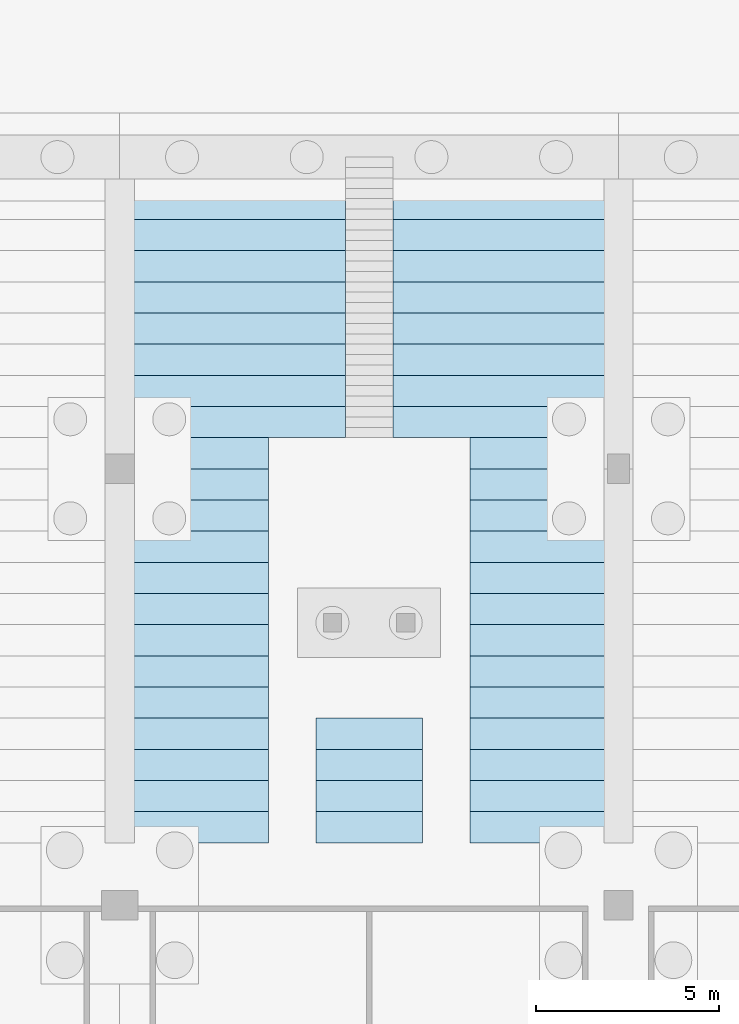
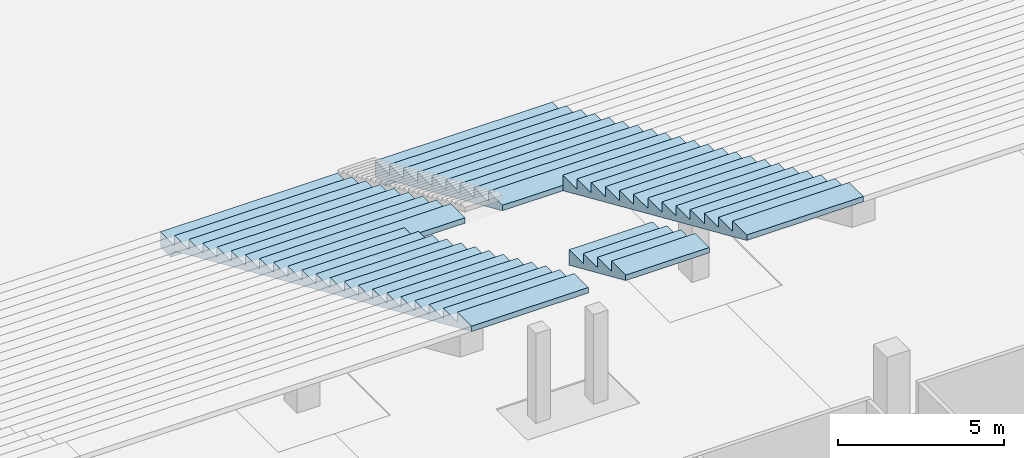
# One storey, part 46 of 115: 1 slab.
"""IFC4 building model written with IfcOpenShell, lengths in metres."""

from ifc_helpers import new_model, si_unit, direction, frame, origin, place, context, subcontext, project, spatial, faceted_brep, material, layer, layer_set, type_object, element, save


model = new_model("IFC4")

# Units and contexts
model_context = context("Model", 3, precision=1e-05, world=origin(), true_north=direction((0.0, 1.0)))
body_context = subcontext(model_context, "Body", "Model", "MODEL_VIEW")
ifc_project = project(units=[si_unit("LENGTHUNIT", "METRE"), si_unit("AREAUNIT", "SQUARE_METRE"), si_unit("VOLUMEUNIT", "CUBIC_METRE"), si_unit("PLANEANGLEUNIT", "RADIAN"), si_unit("MASSUNIT", "GRAM", prefix="KILO")], contexts=[model_context])

# Site, building, storey
site_placement = place(None, origin())
site = spatial("IfcSite", under=ifc_project, at=site_placement, CompositionType="ELEMENT")
building_placement = place(site_placement, origin())
building = spatial("IfcBuilding", under=site, at=building_placement, Name="Ogive Plaza Stadium", CompositionType="ELEMENT")
storey_placement = place(building_placement, frame((0.0, 0.0, -4.5)))
storey = spatial("IfcBuildingStorey", under=building, at=storey_placement, Name="B1", CompositionType="ELEMENT", Elevation=-4.5)

# Slab
ifc_material = material(Name="Concrete C45/55 precast", Category="concrete")
ifc_layer = layer(ifc_material, 0.574951171875)
ifc_layer_set = layer_set([ifc_layer], Name="Concrete C45/55 precast")
slab_type = type_object("IfcSlabType", Name="Seating tier LT 575", PredefinedType="USERDEFINED", material=ifc_layer_set)
slab_placement = place(storey_placement, origin())
element("IfcSlab", 1, at=slab_placement, inside=storey, type_object=slab_type, Name="Stand LT B13", ObjectType="SEATING TIER", PredefinedType="USERDEFINED", context=body_context, shape_type="Brep", body=[
    faceted_brep([(14.25, -60.0, 1.125), (14.25, -60.60009765625, 1.125), (20.39990234375, -60.60009765625, 1.125), (20.39990234375, -60.0, 1.125), (6.800048828125, -60.0, 1.125), (6.800048828125, -60.60009765625, 1.125), (12.949951171875, -60.60009765625, 1.125), (12.949951171875, -60.0, 1.125), (14.25, -60.85009765625, 1.125), (20.39990234375, -60.85009765625, 1.125), (6.800048828125, -60.85009765625, 1.125), (12.949951171875, -60.85009765625, 1.125), (14.25, -60.60009765625, 0.550048828125), (20.39990234375, -60.0, 0.550048828125), (20.39990234375, -60.60009765625, 0.550048828125), (14.25, -60.0, 0.550048828125), (6.800048828125, -60.60009765625, 0.550048828125), (12.949951171875, -60.0, 0.550048828125), (12.949951171875, -60.60009765625, 0.550048828125), (6.800048828125, -60.0, 0.550048828125), (20.39990234375, -60.85009765625, 0.925048828125), (20.39990234375, -60.85009765625, 1.5), (20.39990234375, -61.699951171875, 1.5), (20.39990234375, -61.699951171875, 1.300048828125), (20.39990234375, -61.699951171875, 1.875), (20.39990234375, -62.550048828125, 1.875), (20.39990234375, -62.550048828125, 1.675048828125), (20.39990234375, -62.550048828125, 2.25), (20.39990234375, -63.39990234375, 2.25), (20.39990234375, -63.39990234375, 2.050048828125), (20.39990234375, -63.39990234375, 2.625), (20.39990234375, -64.25, 2.625), (20.39990234375, -64.25, 2.425048828125), (20.39990234375, -64.25, 3.0), (20.39990234375, -65.10009765625, 3.0), (20.39990234375, -65.10009765625, 2.800048828125), (20.39990234375, -65.10009765625, 3.375), (20.39990234375, -65.949951171875, 3.375), (20.39990234375, -65.949951171875, 3.175048828125), (20.39990234375, -65.949951171875, 3.75), (20.39990234375, -66.800048828125, 3.75), (20.39990234375, -66.800048828125, 3.550048828125), (20.39990234375, -66.800048828125, 4.125), (20.39990234375, -67.64990234375, 4.125), (20.39990234375, -67.64990234375, 3.925048828125), (20.39990234375, -67.64990234375, 4.5), (20.39990234375, -68.5, 4.5), (20.39990234375, -68.5, 4.300048828125), (20.39990234375, -68.5, 4.875), (20.39990234375, -69.35009765625, 4.875), (20.39990234375, -69.35009765625, 4.675048828125), (20.39990234375, -69.35009765625, 5.25), (20.39990234375, -70.199951171875, 5.25), (20.39990234375, -70.199951171875, 5.050048828125), (20.39990234375, -70.199951171875, 5.625), (20.39990234375, -71.050048828125, 5.625), (20.39990234375, -71.050048828125, 5.425048828125), (20.39990234375, -71.050048828125, 6.0), (20.39990234375, -71.89990234375, 6.0), (20.39990234375, -71.89990234375, 5.800048828125), (20.39990234375, -71.89990234375, 6.375), (20.39990234375, -72.75, 6.375), (20.39990234375, -72.75, 6.175048828125), (20.39990234375, -72.75, 6.75), (20.39990234375, -73.60009765625, 6.75), (20.39990234375, -73.60009765625, 6.550048828125), (20.39990234375, -73.60009765625, 7.125), (20.39990234375, -74.449951171875, 7.125), (20.39990234375, -74.449951171875, 6.925048828125), (20.39990234375, -74.449951171875, 7.5), (20.39990234375, -75.300048828125, 7.5), (20.39990234375, -75.300048828125, 7.300048828125), (20.39990234375, -75.300048828125, 7.875), (20.39990234375, -76.14990234375, 7.875), (20.39990234375, -76.14990234375, 7.675048828125), (20.39990234375, -76.14990234375, 8.25), (20.39990234375, -77.0, 8.25), (20.39990234375, -77.0, 8.050048828125), (20.39990234375, -77.0, 8.625), (20.39990234375, -77.85009765625, 8.625), (20.39990234375, -77.85009765625, 8.425048828125), (20.39990234375, -77.85009765625, 9.0), (20.39990234375, -78.699951171875, 9.0), (20.39990234375, -78.699951171875, 8.800048828125), (14.25, -60.85009765625, 0.925048828125), (14.25, -61.699951171875, 1.5), (14.25, -60.85009765625, 1.5), (14.25, -61.699951171875, 1.300048828125), (14.25, -62.550048828125, 1.875), (14.25, -61.699951171875, 1.875), (14.25, -62.550048828125, 1.675048828125), (14.25, -63.39990234375, 2.25), (14.25, -62.550048828125, 2.25), (14.25, -63.39990234375, 2.050048828125), (14.25, -64.25, 2.625), (14.25, -63.39990234375, 2.625), (14.25, -64.25, 2.425048828125), (14.25, -65.10009765625, 3.0), (14.25, -64.25, 3.0), (14.25, -65.10009765625, 2.800048828125), (14.25, -65.949951171875, 3.375), (14.25, -65.10009765625, 3.375), (14.25, -65.949951171875, 3.175048828125), (14.25, -66.800048828125, 3.75), (14.25, -65.949951171875, 3.75), (14.25, -66.800048828125, 3.550048828125), (14.25, -67.64990234375, 4.125), (14.25, -66.800048828125, 4.125), (14.25, -67.64990234375, 3.925048828125), (12.949951171875, -60.85009765625, 0.925048828125), (12.949951171875, -60.85009765625, 1.5), (12.949951171875, -61.699951171875, 1.5), (12.949951171875, -61.699951171875, 1.300048828125), (12.949951171875, -61.699951171875, 1.875), (12.949951171875, -62.550048828125, 1.875), (12.949951171875, -62.550048828125, 1.675048828125), (12.949951171875, -62.550048828125, 2.25), (12.949951171875, -63.39990234375, 2.25), (12.949951171875, -63.39990234375, 2.050048828125), (12.949951171875, -63.39990234375, 2.625), (12.949951171875, -64.25, 2.625), (12.949951171875, -64.25, 2.425048828125), (12.949951171875, -64.25, 3.0), (12.949951171875, -65.10009765625, 3.0), (12.949951171875, -65.10009765625, 2.800048828125), (12.949951171875, -65.10009765625, 3.375), (12.949951171875, -65.949951171875, 3.375), (12.949951171875, -65.949951171875, 3.175048828125), (12.949951171875, -65.949951171875, 3.75), (12.949951171875, -66.800048828125, 3.75), (12.949951171875, -66.800048828125, 3.550048828125), (12.949951171875, -66.800048828125, 4.125), (12.949951171875, -67.64990234375, 4.125), (12.949951171875, -67.64990234375, 3.925048828125), (6.800048828125, -60.85009765625, 0.925048828125), (6.800048828125, -61.699951171875, 1.5), (6.800048828125, -60.85009765625, 1.5), (6.800048828125, -61.699951171875, 1.300048828125), (6.800048828125, -62.550048828125, 1.875), (6.800048828125, -61.699951171875, 1.875), (6.800048828125, -62.550048828125, 1.675048828125), (6.800048828125, -63.39990234375, 2.25), (6.800048828125, -62.550048828125, 2.25), (6.800048828125, -63.39990234375, 2.050048828125), (6.800048828125, -64.25, 2.625), (6.800048828125, -63.39990234375, 2.625), (6.800048828125, -64.25, 2.425048828125), (6.800048828125, -65.10009765625, 3.0), (6.800048828125, -64.25, 3.0), (6.800048828125, -65.10009765625, 2.800048828125), (6.800048828125, -65.949951171875, 3.375), (6.800048828125, -65.10009765625, 3.375), (6.800048828125, -65.949951171875, 3.175048828125), (6.800048828125, -66.800048828125, 3.75), (6.800048828125, -65.949951171875, 3.75), (6.800048828125, -66.800048828125, 3.550048828125), (6.800048828125, -67.64990234375, 4.125), (6.800048828125, -66.800048828125, 4.125), (6.800048828125, -67.64990234375, 3.925048828125), (6.800048828125, -68.5, 4.5), (6.800048828125, -67.64990234375, 4.5), (6.800048828125, -68.5, 4.300048828125), (6.800048828125, -69.35009765625, 4.875), (6.800048828125, -68.5, 4.875), (6.800048828125, -69.35009765625, 4.675048828125), (6.800048828125, -70.199951171875, 5.25), (6.800048828125, -69.35009765625, 5.25), (6.800048828125, -70.199951171875, 5.050048828125), (6.800048828125, -71.050048828125, 5.625), (6.800048828125, -70.199951171875, 5.625), (6.800048828125, -71.050048828125, 5.425048828125), (6.800048828125, -71.89990234375, 6.0), (6.800048828125, -71.050048828125, 6.0), (6.800048828125, -71.89990234375, 5.800048828125), (6.800048828125, -72.75, 6.375), (6.800048828125, -71.89990234375, 6.375), (6.800048828125, -72.75, 6.175048828125), (6.800048828125, -73.60009765625, 6.75), (6.800048828125, -72.75, 6.75), (6.800048828125, -73.60009765625, 6.550048828125), (6.800048828125, -74.449951171875, 7.125), (6.800048828125, -73.60009765625, 7.125), (6.800048828125, -74.449951171875, 6.925048828125), (6.800048828125, -75.300048828125, 7.5), (6.800048828125, -74.449951171875, 7.5), (6.800048828125, -75.300048828125, 7.300048828125), (6.800048828125, -76.14990234375, 7.875), (6.800048828125, -75.300048828125, 7.875), (6.800048828125, -76.14990234375, 7.675048828125), (6.800048828125, -77.0, 8.25), (6.800048828125, -76.14990234375, 8.25), (6.800048828125, -77.0, 8.050048828125), (6.800048828125, -77.85009765625, 8.625), (6.800048828125, -77.0, 8.625), (6.800048828125, -77.85009765625, 8.425048828125), (6.800048828125, -78.699951171875, 9.0), (6.800048828125, -77.85009765625, 9.0), (6.800048828125, -78.699951171875, 8.800048828125), (16.35009765625, -67.64990234375, 3.925048828125), (10.85009765625, -67.64990234375, 3.925048828125), (16.35009765625, -68.5, 4.300048828125), (10.85009765625, -68.5, 4.300048828125), (16.35009765625, -69.35009765625, 4.675048828125), (10.85009765625, -69.35009765625, 4.675048828125), (16.35009765625, -70.199951171875, 5.050048828125), (10.85009765625, -70.199951171875, 5.050048828125), (16.35009765625, -71.050048828125, 5.425048828125), (10.85009765625, -71.050048828125, 5.425048828125), (16.35009765625, -71.89990234375, 5.800048828125), (10.85009765625, -71.89990234375, 5.800048828125), (16.35009765625, -72.75, 6.175048828125), (10.85009765625, -72.75, 6.175048828125), (16.35009765625, -73.60009765625, 6.550048828125), (10.85009765625, -73.60009765625, 6.550048828125), (16.35009765625, -74.449951171875, 6.925048828125), (10.85009765625, -74.449951171875, 6.925048828125), (16.35009765625, -75.300048828125, 7.300048828125), (10.85009765625, -75.300048828125, 7.300048828125), (16.35009765625, -76.14990234375, 7.675048828125), (12.14990234375, -76.14990234375, 7.675048828125), (15.050048828125, -75.300048828125, 7.300048828125), (15.050048828125, -76.14990234375, 7.675048828125), (12.14990234375, -75.300048828125, 7.300048828125), (10.85009765625, -76.14990234375, 7.675048828125), (16.35009765625, -67.64990234375, 4.125), (10.85009765625, -67.64990234375, 4.125), (16.35009765625, -67.64990234375, 4.5), (10.85009765625, -67.64990234375, 4.5), (16.35009765625, -68.5, 4.5), (10.85009765625, -68.5, 4.5), (16.35009765625, -68.5, 4.875), (10.85009765625, -68.5, 4.875), (16.35009765625, -69.35009765625, 4.875), (16.35009765625, -70.199951171875, 5.25), (16.35009765625, -69.35009765625, 5.25), (16.35009765625, -71.050048828125, 5.625), (16.35009765625, -70.199951171875, 5.625), (16.35009765625, -71.89990234375, 6.0), (16.35009765625, -71.050048828125, 6.0), (16.35009765625, -72.75, 6.375), (16.35009765625, -71.89990234375, 6.375), (16.35009765625, -73.60009765625, 6.75), (16.35009765625, -72.75, 6.75), (16.35009765625, -74.449951171875, 7.125), (16.35009765625, -73.60009765625, 7.125), (16.35009765625, -75.300048828125, 7.5), (16.35009765625, -74.449951171875, 7.5), (16.35009765625, -76.14990234375, 7.875), (16.35009765625, -75.300048828125, 7.875), (16.35009765625, -77.0, 8.25), (16.35009765625, -76.14990234375, 8.25), (16.35009765625, -77.0, 8.050048828125), (16.35009765625, -77.85009765625, 8.625), (16.35009765625, -77.0, 8.625), (16.35009765625, -77.85009765625, 8.425048828125), (16.35009765625, -78.699951171875, 9.0), (16.35009765625, -77.85009765625, 9.0), (16.35009765625, -78.699951171875, 8.800048828125), (10.85009765625, -69.35009765625, 4.875), (10.85009765625, -69.35009765625, 5.25), (10.85009765625, -70.199951171875, 5.25), (10.85009765625, -70.199951171875, 5.625), (10.85009765625, -71.050048828125, 5.625), (10.85009765625, -71.050048828125, 6.0), (10.85009765625, -71.89990234375, 6.0), (10.85009765625, -71.89990234375, 6.375), (10.85009765625, -72.75, 6.375), (10.85009765625, -72.75, 6.75), (10.85009765625, -73.60009765625, 6.75), (10.85009765625, -73.60009765625, 7.125), (10.85009765625, -74.449951171875, 7.125), (10.85009765625, -74.449951171875, 7.5), (10.85009765625, -75.300048828125, 7.5), (10.85009765625, -75.300048828125, 7.875), (10.85009765625, -76.14990234375, 7.875), (10.85009765625, -76.14990234375, 8.25), (10.85009765625, -77.0, 8.25), (10.85009765625, -77.0, 8.050048828125), (10.85009765625, -77.0, 8.625), (10.85009765625, -77.85009765625, 8.625), (10.85009765625, -77.85009765625, 8.425048828125), (10.85009765625, -77.85009765625, 9.0), (10.85009765625, -78.699951171875, 9.0), (10.85009765625, -78.699951171875, 8.800048828125), (15.050048828125, -75.300048828125, 7.875), (12.14990234375, -75.300048828125, 7.875), (12.14990234375, -76.14990234375, 7.875), (15.050048828125, -76.14990234375, 7.875), (15.050048828125, -76.14990234375, 8.25), (12.14990234375, -76.14990234375, 8.25), (15.050048828125, -77.0, 8.25), (15.050048828125, -77.0, 8.050048828125), (15.050048828125, -77.0, 8.625), (15.050048828125, -77.85009765625, 8.625), (15.050048828125, -77.85009765625, 8.425048828125), (15.050048828125, -77.85009765625, 9.0), (15.050048828125, -78.699951171875, 9.0), (15.050048828125, -78.699951171875, 8.800048828125), (12.14990234375, -77.0, 8.25), (12.14990234375, -77.0, 8.050048828125), (12.14990234375, -77.85009765625, 8.625), (12.14990234375, -77.0, 8.625), (12.14990234375, -77.85009765625, 8.425048828125), (12.14990234375, -78.699951171875, 9.0), (12.14990234375, -77.85009765625, 9.0), (12.14990234375, -78.699951171875, 8.800048828125)], [[[0, 1, 2]], [[2, 3, 0]], [[4, 5, 6]], [[6, 7, 4]], [[1, 8, 9]], [[9, 2, 1]], [[5, 10, 11]], [[11, 6, 5]], [[12, 13, 14]], [[12, 15, 13]], [[16, 17, 18]], [[16, 19, 17]], [[2, 14, 13]], [[13, 3, 2]], [[20, 14, 2]], [[20, 2, 9]], [[9, 21, 22]], [[22, 23, 20]], [[20, 9, 22]], [[22, 24, 25]], [[25, 26, 23]], [[23, 22, 25]], [[25, 27, 28]], [[28, 29, 26]], [[26, 25, 28]], [[28, 30, 31]], [[31, 32, 29]], [[29, 28, 31]], [[31, 33, 34]], [[34, 35, 32]], [[32, 31, 34]], [[34, 36, 37]], [[37, 38, 35]], [[35, 34, 37]], [[37, 39, 40]], [[40, 41, 38]], [[38, 37, 40]], [[40, 42, 43]], [[43, 44, 41]], [[41, 40, 43]], [[43, 45, 46]], [[46, 47, 44]], [[44, 43, 46]], [[46, 48, 49]], [[49, 50, 47]], [[47, 46, 49]], [[49, 51, 52]], [[52, 53, 50]], [[50, 49, 52]], [[52, 54, 55]], [[55, 56, 53]], [[53, 52, 55]], [[55, 57, 58]], [[58, 59, 56]], [[56, 55, 58]], [[58, 60, 61]], [[61, 62, 59]], [[59, 58, 61]], [[61, 63, 64]], [[64, 65, 62]], [[62, 61, 64]], [[64, 66, 67]], [[67, 68, 65]], [[65, 64, 67]], [[67, 69, 70]], [[70, 71, 68]], [[68, 67, 70]], [[70, 72, 73]], [[73, 74, 71]], [[71, 70, 73]], [[73, 75, 76]], [[76, 77, 74]], [[74, 73, 76]], [[76, 78, 79]], [[79, 80, 77]], [[77, 76, 79]], [[79, 81, 82]], [[82, 83, 80]], [[80, 79, 82]], [[3, 13, 15]], [[15, 0, 3]], [[7, 17, 19]], [[19, 4, 7]], [[0, 15, 12]], [[12, 1, 0]], [[1, 12, 84]], [[84, 8, 1]], [[85, 86, 8]], [[8, 84, 87]], [[87, 85, 8]], [[88, 89, 85]], [[85, 87, 90]], [[90, 88, 85]], [[91, 92, 88]], [[88, 90, 93]], [[93, 91, 88]], [[94, 95, 91]], [[91, 93, 96]], [[96, 94, 91]], [[97, 98, 94]], [[94, 96, 99]], [[99, 97, 94]], [[100, 101, 97]], [[97, 99, 102]], [[102, 100, 97]], [[103, 104, 100]], [[100, 102, 105]], [[105, 103, 100]], [[106, 107, 103]], [[103, 105, 108]], [[108, 106, 103]], [[6, 18, 17]], [[17, 7, 6]], [[109, 18, 6]], [[109, 6, 11]], [[11, 110, 111]], [[111, 112, 109]], [[109, 11, 111]], [[111, 113, 114]], [[114, 115, 112]], [[112, 111, 114]], [[114, 116, 117]], [[117, 118, 115]], [[115, 114, 117]], [[117, 119, 120]], [[120, 121, 118]], [[118, 117, 120]], [[120, 122, 123]], [[123, 124, 121]], [[121, 120, 123]], [[123, 125, 126]], [[126, 127, 124]], [[124, 123, 126]], [[126, 128, 129]], [[129, 130, 127]], [[127, 126, 129]], [[129, 131, 132]], [[132, 133, 130]], [[130, 129, 132]], [[4, 19, 16]], [[16, 5, 4]], [[5, 16, 134]], [[134, 10, 5]], [[135, 136, 10]], [[10, 134, 137]], [[137, 135, 10]], [[138, 139, 135]], [[135, 137, 140]], [[140, 138, 135]], [[141, 142, 138]], [[138, 140, 143]], [[143, 141, 138]], [[144, 145, 141]], [[141, 143, 146]], [[146, 144, 141]], [[147, 148, 144]], [[144, 146, 149]], [[149, 147, 144]], [[150, 151, 147]], [[147, 149, 152]], [[152, 150, 147]], [[153, 154, 150]], [[150, 152, 155]], [[155, 153, 150]], [[156, 157, 153]], [[153, 155, 158]], [[158, 156, 153]], [[159, 160, 156]], [[156, 158, 161]], [[161, 159, 156]], [[162, 163, 159]], [[159, 161, 164]], [[164, 162, 159]], [[165, 166, 162]], [[162, 164, 167]], [[167, 165, 162]], [[168, 169, 165]], [[165, 167, 170]], [[170, 168, 165]], [[171, 172, 168]], [[168, 170, 173]], [[173, 171, 168]], [[174, 175, 171]], [[171, 173, 176]], [[176, 174, 171]], [[177, 178, 174]], [[174, 176, 179]], [[179, 177, 174]], [[180, 181, 177]], [[177, 179, 182]], [[182, 180, 177]], [[183, 184, 180]], [[180, 182, 185]], [[185, 183, 180]], [[186, 187, 183]], [[183, 185, 188]], [[188, 186, 183]], [[189, 190, 186]], [[186, 188, 191]], [[191, 189, 186]], [[192, 193, 189]], [[189, 191, 194]], [[194, 192, 189]], [[195, 196, 192]], [[192, 194, 197]], [[197, 195, 192]], [[84, 14, 20]], [[84, 12, 14]], [[134, 18, 109]], [[134, 16, 18]], [[21, 9, 8]], [[8, 86, 21]], [[110, 11, 10]], [[10, 136, 110]], [[86, 85, 22]], [[22, 21, 86]], [[136, 135, 111]], [[111, 110, 136]], [[87, 20, 23]], [[87, 84, 20]], [[137, 109, 112]], [[137, 134, 109]], [[90, 23, 26]], [[90, 87, 23]], [[140, 112, 115]], [[140, 137, 112]], [[93, 26, 29]], [[93, 90, 26]], [[143, 115, 118]], [[143, 140, 115]], [[96, 29, 32]], [[96, 93, 29]], [[146, 118, 121]], [[146, 143, 118]], [[99, 32, 35]], [[99, 96, 32]], [[149, 121, 124]], [[149, 146, 121]], [[102, 35, 38]], [[102, 99, 35]], [[152, 124, 127]], [[152, 149, 124]], [[105, 38, 41]], [[105, 102, 38]], [[155, 127, 130]], [[155, 152, 127]], [[41, 44, 198]], [[108, 41, 198]], [[108, 105, 41]], [[199, 158, 130]], [[130, 133, 199]], [[158, 155, 130]], [[200, 44, 47]], [[200, 198, 44]], [[161, 199, 201]], [[161, 158, 199]], [[202, 47, 50]], [[202, 200, 47]], [[164, 201, 203]], [[164, 161, 201]], [[204, 50, 53]], [[204, 202, 50]], [[167, 203, 205]], [[167, 164, 203]], [[206, 53, 56]], [[206, 204, 53]], [[170, 205, 207]], [[170, 167, 205]], [[208, 56, 59]], [[208, 206, 56]], [[173, 207, 209]], [[173, 170, 207]], [[210, 59, 62]], [[210, 208, 59]], [[176, 209, 211]], [[176, 173, 209]], [[212, 62, 65]], [[212, 210, 62]], [[179, 211, 213]], [[179, 176, 211]], [[214, 65, 68]], [[214, 212, 65]], [[182, 213, 215]], [[182, 179, 213]], [[216, 68, 71]], [[216, 214, 68]], [[185, 215, 217]], [[185, 182, 215]], [[218, 71, 74]], [[218, 216, 71]], [[219, 220, 221]], [[219, 222, 220]], [[188, 217, 223]], [[188, 185, 217]], [[24, 22, 85]], [[85, 89, 24]], [[113, 111, 135]], [[135, 139, 113]], [[89, 88, 25]], [[25, 24, 89]], [[139, 138, 114]], [[114, 113, 139]], [[27, 25, 88]], [[88, 92, 27]], [[116, 114, 138]], [[138, 142, 116]], [[92, 91, 28]], [[28, 27, 92]], [[142, 141, 117]], [[117, 116, 142]], [[30, 28, 91]], [[91, 95, 30]], [[119, 117, 141]], [[141, 145, 119]], [[95, 94, 31]], [[31, 30, 95]], [[145, 144, 120]], [[120, 119, 145]], [[33, 31, 94]], [[94, 98, 33]], [[122, 120, 144]], [[144, 148, 122]], [[98, 97, 34]], [[34, 33, 98]], [[148, 147, 123]], [[123, 122, 148]], [[36, 34, 97]], [[97, 101, 36]], [[125, 123, 147]], [[147, 151, 125]], [[101, 100, 37]], [[37, 36, 101]], [[151, 150, 126]], [[126, 125, 151]], [[39, 37, 100]], [[100, 104, 39]], [[128, 126, 150]], [[150, 154, 128]], [[104, 103, 40]], [[40, 39, 104]], [[154, 153, 129]], [[129, 128, 154]], [[42, 40, 103]], [[103, 107, 42]], [[131, 129, 153]], [[153, 157, 131]], [[43, 42, 107]], [[224, 43, 107]], [[106, 224, 107]], [[132, 131, 157]], [[157, 156, 225]], [[225, 132, 157]], [[108, 198, 224]], [[224, 106, 108]], [[133, 132, 225]], [[133, 225, 199]], [[45, 43, 224]], [[224, 226, 45]], [[156, 160, 227]], [[225, 156, 227]], [[226, 228, 46]], [[46, 45, 226]], [[160, 159, 229]], [[229, 227, 160]], [[48, 46, 228]], [[228, 230, 48]], [[231, 229, 159]], [[159, 163, 231]], [[228, 226, 224]], [[224, 198, 200]], [[200, 228, 224]], [[232, 230, 228]], [[228, 200, 202]], [[202, 232, 228]], [[233, 234, 232]], [[232, 202, 204]], [[204, 233, 232]], [[235, 236, 233]], [[233, 204, 206]], [[206, 235, 233]], [[237, 238, 235]], [[235, 206, 208]], [[208, 237, 235]], [[239, 240, 237]], [[237, 208, 210]], [[210, 239, 237]], [[241, 242, 239]], [[239, 210, 212]], [[212, 241, 239]], [[243, 244, 241]], [[241, 212, 214]], [[214, 243, 241]], [[245, 246, 243]], [[243, 214, 216]], [[216, 245, 243]], [[247, 248, 245]], [[245, 216, 218]], [[218, 247, 245]], [[249, 250, 247]], [[247, 218, 251]], [[251, 249, 247]], [[252, 253, 249]], [[249, 251, 254]], [[254, 252, 249]], [[255, 256, 252]], [[252, 254, 257]], [[257, 255, 252]], [[225, 227, 229]], [[229, 201, 199]], [[199, 225, 229]], [[229, 231, 258]], [[258, 203, 201]], [[201, 229, 258]], [[258, 259, 260]], [[260, 205, 203]], [[203, 258, 260]], [[260, 261, 262]], [[262, 207, 205]], [[205, 260, 262]], [[262, 263, 264]], [[264, 209, 207]], [[207, 262, 264]], [[264, 265, 266]], [[266, 211, 209]], [[209, 264, 266]], [[266, 267, 268]], [[268, 213, 211]], [[211, 266, 268]], [[268, 269, 270]], [[270, 215, 213]], [[213, 268, 270]], [[270, 271, 272]], [[272, 217, 215]], [[215, 270, 272]], [[272, 273, 274]], [[274, 223, 217]], [[217, 272, 274]], [[274, 275, 276]], [[276, 277, 223]], [[223, 274, 276]], [[276, 278, 279]], [[279, 280, 277]], [[277, 276, 279]], [[279, 281, 282]], [[282, 283, 280]], [[280, 279, 282]], [[230, 232, 49]], [[49, 48, 230]], [[163, 162, 258]], [[258, 231, 163]], [[51, 49, 232]], [[232, 234, 51]], [[259, 258, 162]], [[162, 166, 259]], [[234, 233, 52]], [[52, 51, 234]], [[166, 165, 260]], [[260, 259, 166]], [[54, 52, 233]], [[233, 236, 54]], [[261, 260, 165]], [[165, 169, 261]], [[236, 235, 55]], [[55, 54, 236]], [[169, 168, 262]], [[262, 261, 169]], [[57, 55, 235]], [[235, 238, 57]], [[263, 262, 168]], [[168, 172, 263]], [[238, 237, 58]], [[58, 57, 238]], [[172, 171, 264]], [[264, 263, 172]], [[60, 58, 237]], [[237, 240, 60]], [[265, 264, 171]], [[171, 175, 265]], [[240, 239, 61]], [[61, 60, 240]], [[175, 174, 266]], [[266, 265, 175]], [[63, 61, 239]], [[239, 242, 63]], [[267, 266, 174]], [[174, 178, 267]], [[242, 241, 64]], [[64, 63, 242]], [[178, 177, 268]], [[268, 267, 178]], [[66, 64, 241]], [[241, 244, 66]], [[269, 268, 177]], [[177, 181, 269]], [[244, 243, 67]], [[67, 66, 244]], [[181, 180, 270]], [[270, 269, 181]], [[69, 67, 243]], [[243, 246, 69]], [[271, 270, 180]], [[180, 184, 271]], [[246, 245, 70]], [[70, 69, 246]], [[184, 183, 272]], [[272, 271, 184]], [[72, 70, 245]], [[245, 248, 72]], [[284, 220, 222]], [[222, 285, 284]], [[273, 272, 183]], [[183, 187, 273]], [[248, 247, 73]], [[73, 72, 248]], [[285, 286, 287]], [[287, 284, 285]], [[187, 186, 274]], [[274, 273, 187]], [[75, 73, 247]], [[247, 250, 75]], [[288, 287, 286]], [[286, 289, 288]], [[275, 274, 186]], [[186, 190, 275]], [[221, 220, 284]], [[221, 284, 287]], [[287, 288, 290]], [[290, 291, 221]], [[221, 287, 290]], [[290, 292, 293]], [[293, 294, 291]], [[291, 290, 293]], [[293, 295, 296]], [[296, 297, 294]], [[294, 293, 296]], [[285, 222, 219]], [[219, 286, 285]], [[298, 289, 286]], [[286, 219, 299]], [[299, 298, 286]], [[300, 301, 298]], [[298, 299, 302]], [[302, 300, 298]], [[303, 304, 300]], [[300, 302, 305]], [[305, 303, 300]], [[250, 249, 76]], [[76, 75, 250]], [[289, 298, 290]], [[290, 288, 289]], [[190, 189, 276]], [[276, 275, 190]], [[251, 74, 77]], [[251, 218, 74]], [[299, 221, 291]], [[299, 219, 221]], [[191, 223, 277]], [[191, 188, 223]], [[254, 77, 80]], [[254, 251, 77]], [[302, 291, 294]], [[302, 299, 291]], [[194, 277, 280]], [[194, 191, 277]], [[257, 80, 83]], [[257, 254, 80]], [[305, 294, 297]], [[305, 302, 294]], [[197, 280, 283]], [[197, 194, 280]], [[78, 76, 249]], [[249, 253, 78]], [[292, 290, 298]], [[298, 301, 292]], [[278, 276, 189]], [[189, 193, 278]], [[253, 252, 79]], [[79, 78, 253]], [[301, 300, 293]], [[293, 292, 301]], [[193, 192, 279]], [[279, 278, 193]], [[81, 79, 252]], [[252, 256, 81]], [[295, 293, 300]], [[300, 304, 295]], [[281, 279, 192]], [[192, 196, 281]], [[256, 255, 82]], [[82, 81, 256]], [[304, 303, 296]], [[296, 295, 304]], [[196, 195, 282]], [[282, 281, 196]], [[255, 257, 83]], [[83, 82, 255]], [[303, 305, 297]], [[297, 296, 303]], [[195, 197, 283]], [[283, 282, 195]]]),
])

save(model, "model.ifc")
